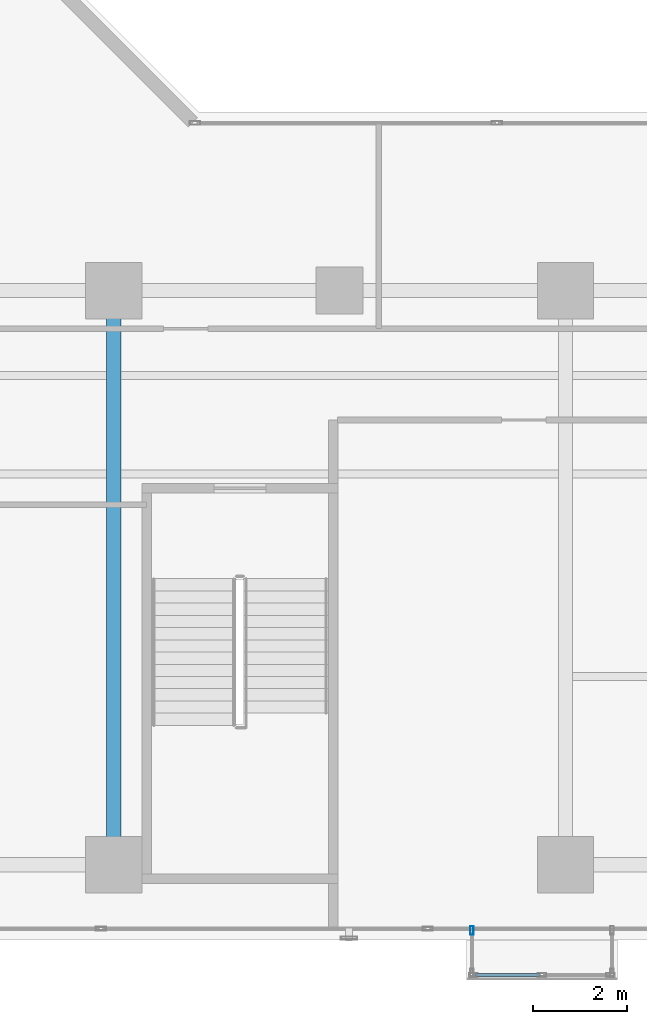
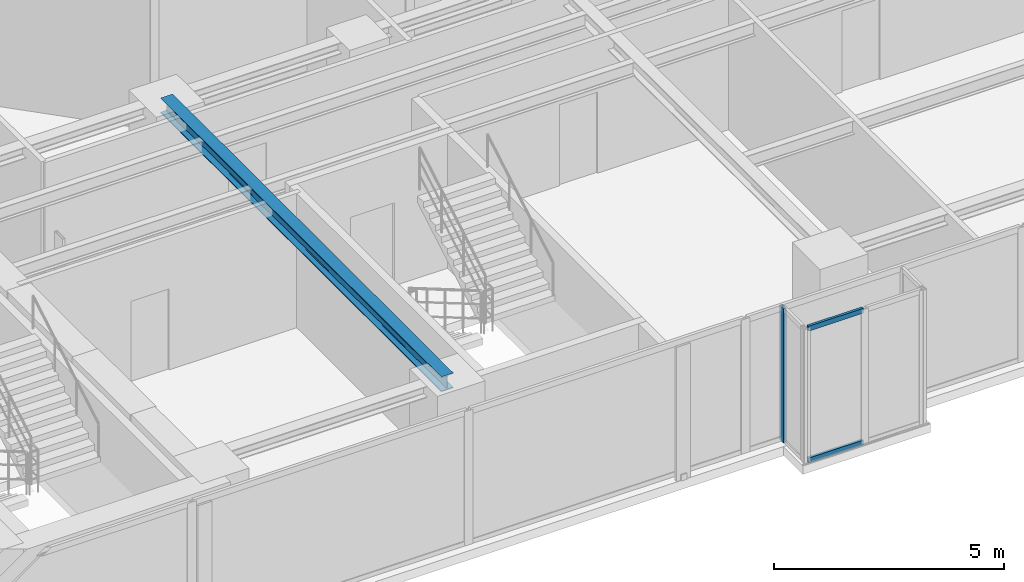
# One storey, part 5 of 27: 3 members, 1 beam, 2 elements without a shape of their own.
"""IFC4 building model written with IfcOpenShell, lengths in metres."""

from ifc_helpers import new_model, si_unit, direction, frame, origin, origin_with_axes, origin_2d, place, context, subcontext, project, spatial, hollow_rectangle, i_section, extrude, source, transform, mapped, material, layer, layer_set, material_profile, profile_set, type_object, element, aggregate, save


model = new_model("IFC4")

# Units and contexts
model_context = context("Model", 3, precision=1e-05, world=origin(), true_north=direction((0.0, 1.0)))
body_context = subcontext(model_context, "Body", "Model", "MODEL_VIEW")
ifc_project = project(units=[si_unit("LENGTHUNIT", "METRE"), si_unit("AREAUNIT", "SQUARE_METRE"), si_unit("VOLUMEUNIT", "CUBIC_METRE"), si_unit("PLANEANGLEUNIT", "RADIAN"), si_unit("MASSUNIT", "GRAM", prefix="KILO")], contexts=[model_context])

# Site, building, storey
site_placement = place(None, origin())
site = spatial("IfcSite", under=ifc_project, at=site_placement, CompositionType="ELEMENT")
building_placement = place(site_placement, origin())
building = spatial("IfcBuilding", under=site, at=building_placement, Name="Kolvaren Waterfront Exchange", CompositionType="ELEMENT")
storey_placement = place(building_placement, frame((0.0, 0.0, 191.800048828125)))
storey = spatial("IfcBuildingStorey", under=building, at=storey_placement, Name="L49", CompositionType="ELEMENT", Elevation=191.800048828125)

# Beam
ifc_material_1 = material(Name="Steel S355", Category="steel")
ifc_material_profile_1 = material_profile(ifc_material_1, i_section(OverallWidth=0.300048828125, OverallDepth=0.39990234375, WebThickness=0.013427734375, FlangeThickness=0.02392578125, FilletRadius=0.027099609375, at=origin_2d()), Name="HEB400")
ifc_profile_set_1 = profile_set([ifc_material_profile_1], Name="Steel S355")
beam_type = type_object("IfcBeamType", Name="STR-BM-HEB400", PredefinedType="BEAM", material=ifc_profile_set_1)
beam_placement = place(storey_placement, frame((27.199951171875, 5.199951171875, 3.35986328125), z_axis=(0.0, 1.0, 0.0), x_axis=(-1.0, 0.0, 0.0)))
element("IfcBeam", 1, at=beam_placement, inside=storey, type_object=beam_type, Name="L49 east-arm transverse girder X27", PredefinedType="BEAM", context=body_context, shape_type="SweptSolid", body=[
    extrude(i_section(OverallWidth=0.300048828125, OverallDepth=0.39990234375, WebThickness=0.013427734375, FlangeThickness=0.02392578125, FilletRadius=0.027099609375, at=origin_2d()), origin(), (0.0, 0.0, 1.0), 12.199951171875),
])

# Curtain wall, members
ifc_material_2 = material(Name="Anodised bronze aluminium 6063-T6", Category="aluminium")
ifc_layer = layer(ifc_material_2, 0.219970703125, Name="Anodised bronze aluminium 6063-T6")
ifc_layer_set = layer_set([ifc_layer], Name="Anodised bronze aluminium 6063-T6")
curtain_wall_type = type_object("IfcCurtainWallType", Name="ARC-CW-SYS3", PredefinedType="USERDEFINED", material=ifc_layer_set)
curtain_wall_1_placement = place(storey_placement, origin())
curtain_wall_1 = element("IfcCurtainWall", 2, at=curtain_wall_1_placement, inside=storey, type_object=curtain_wall_type, Name="L49 stick curtain wall CW3 (CW-L49-BOX)", ObjectType="STICK CURTAIN WALL", PredefinedType="USERDEFINED")
ifc_material_profile_2 = material_profile(ifc_material_2, hollow_rectangle(XDim=0.06494140625, YDim=0.1298828125, WallThickness=0.00390625, at=origin_2d()), Name="ALU-TRN-130x65x4")
ifc_profile_set_2 = profile_set([ifc_material_profile_2], Name="Anodised bronze aluminium 6063-T6")
member_type_1 = type_object("IfcMemberType", Name="ARC-CWT-130", PredefinedType="USERDEFINED", material=ifc_profile_set_2)
shared_shape_1 = source(origin_with_axes(), body_context, "Body", "SweptSolid", [
    extrude(hollow_rectangle(XDim=0.06494140625, YDim=0.1298828125, WallThickness=0.00390625, at=origin_2d()), origin(), (0.0, 0.0, 1.0), 1.37744140625),
])
member_1_placement = place(storey_placement, frame((34.885009765625, 2.860107421875, 0.032470703125), z_axis=(1.0, 0.0, 0.0), x_axis=(0.0, 1.0, 0.0)))
member_1 = element("IfcMember", 3, at=member_1_placement, type_object=member_type_1, Name="CW3 transom 1.1", ObjectType="TRANSOM", PredefinedType="USERDEFINED", context=body_context, shape_type="MappedRepresentation", body=[
    mapped(shared_shape_1, transform((0.0, 0.0, 0.0), x_axis=(1.0, 0.0, 0.0), y_axis=(0.0, 1.0, 0.0), z_axis=(0.0, 0.0, 1.0), scale=1.0)),
])
member_2_placement = place(storey_placement, frame((34.885009765625, 2.860107421875, 3.52734375), z_axis=(1.0, 0.0, 0.0), x_axis=(0.0, 1.0, 0.0)))
member_2 = element("IfcMember", 4, at=member_2_placement, type_object=member_type_1, Name="CW3 transom 1.2", ObjectType="TRANSOM", PredefinedType="USERDEFINED", context=body_context, shape_type="MappedRepresentation", body=[
    mapped(shared_shape_1, transform((0.0, 0.0, 0.0), x_axis=(1.0, 0.0, 0.0), y_axis=(0.0, 1.0, 0.0), z_axis=(0.0, 0.0, 1.0), scale=1.0)),
])
aggregate(curtain_wall_1, [member_1, member_2])

# Curtain wall, member
curtain_wall_2_placement = place(storey_placement, origin())
curtain_wall_2 = element("IfcCurtainWall", 5, at=curtain_wall_2_placement, inside=storey, type_object=curtain_wall_type, Name="L49 stick curtain wall CW3 (CW-L49-BOX-W)", ObjectType="STICK CURTAIN WALL", PredefinedType="USERDEFINED")
ifc_material_profile_3 = material_profile(ifc_material_2, hollow_rectangle(XDim=0.074951171875, YDim=0.179931640625, WallThickness=0.00439453125, at=origin_2d()), Name="ALU-MUL-180x75x4.5")
ifc_profile_set_3 = profile_set([ifc_material_profile_3], Name="Anodised bronze aluminium 6063-T6")
member_type_2 = type_object("IfcMemberType", Name="ARC-CWM-180", PredefinedType="MULLION", material=ifc_profile_set_3)
shared_shape_2 = source(origin_with_axes(), body_context, "Body", "SweptSolid", [
    extrude(hollow_rectangle(XDim=0.074951171875, YDim=0.179931640625, WallThickness=0.00439453125, at=origin_2d()), origin(), (0.0, 0.0, 1.0), 3.56005859375),
])
member_3_placement = place(storey_placement, frame((34.81005859375, 3.802490234375, 0.0), z_axis=(0.0, 0.0, 1.0), x_axis=(1.0, 0.0, 0.0)))
member_3 = element("IfcMember", 6, at=member_3_placement, type_object=member_type_2, Name="CW3 mullion 1", PredefinedType="MULLION", context=body_context, shape_type="MappedRepresentation", body=[
    mapped(shared_shape_2, transform((0.0, 0.0, 0.0), x_axis=(1.0, 0.0, 0.0), y_axis=(0.0, 1.0, 0.0), z_axis=(0.0, 0.0, 1.0), scale=1.0)),
])
aggregate(curtain_wall_2, [member_3])

save(model, "model.ifc")
